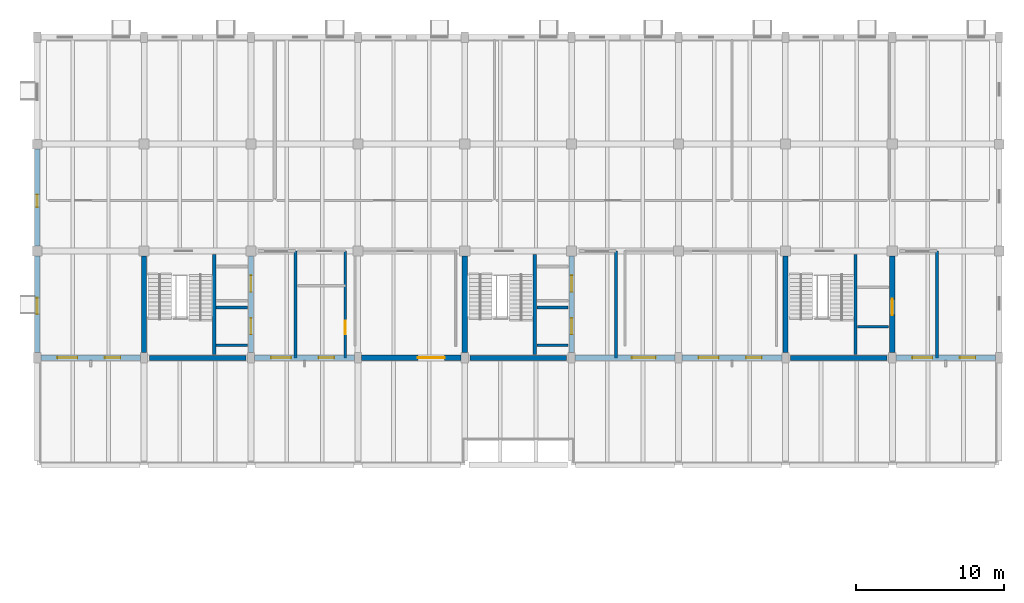
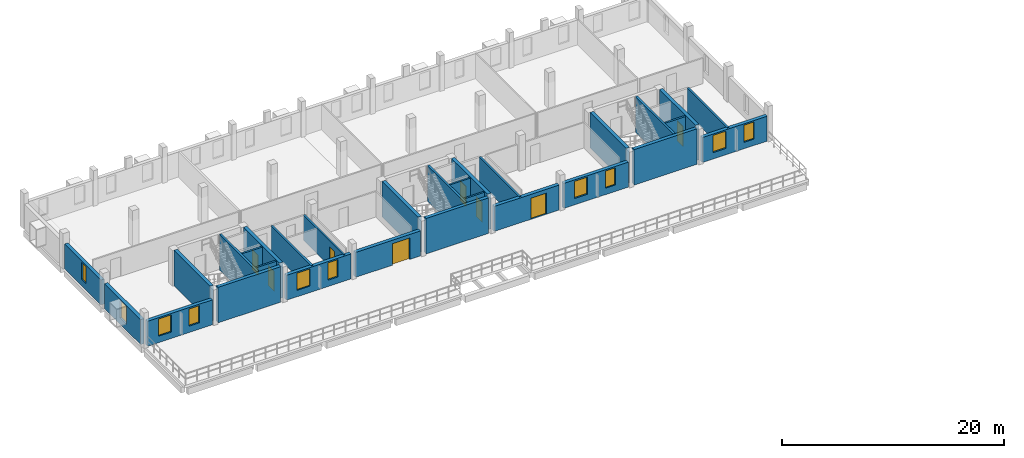
# One storey, part 9 of 14: 29 walls, 10 windows, 8 doors, 18 openings.
"""IFC4 building model written with IfcOpenShell, lengths in metres."""

from ifc_helpers import new_model, si_unit, direction, frame, frame_2d, origin, place, context, subcontext, project, spatial, rectangle, extrude, material, layer, layer_set, type_object, element, fill, save


model = new_model("IFC4")

# Units and contexts
model_context = context("Model", 3, precision=1e-05, world=origin(), true_north=direction((0.0, 1.0)))
body_context = subcontext(model_context, "Body", "Model", "MODEL_VIEW")
ifc_project = project(units=[si_unit("LENGTHUNIT", "METRE"), si_unit("AREAUNIT", "SQUARE_METRE"), si_unit("VOLUMEUNIT", "CUBIC_METRE"), si_unit("PLANEANGLEUNIT", "RADIAN"), si_unit("MASSUNIT", "GRAM", prefix="KILO")], contexts=[model_context])

# Site, building, storey
site_placement = place(None, origin())
site = spatial("IfcSite", under=ifc_project, at=site_placement, CompositionType="ELEMENT")
building_placement = place(site_placement, origin())
building = spatial("IfcBuilding", under=site, at=building_placement, Name="Qiaolan Assembly House", CompositionType="ELEMENT")
storey_placement = place(building_placement, frame((0.0, 0.0, 22.5)))
storey = spatial("IfcBuildingStorey", under=building, at=storey_placement, Name="L05", CompositionType="ELEMENT", Elevation=22.5)

# Wall
ifc_material_1 = material(Name="Concrete C40/50", Category="concrete")
ifc_layer_1 = layer(ifc_material_1, 0.35009765625)
ifc_layer_set_1 = layer_set([ifc_layer_1], Name="Concrete C40/50")
wall_type_1 = type_object("IfcWallType", Name="WAL-CORE-350", PredefinedType="SHEAR", material=ifc_layer_set_1)
wall_1_placement = place(storey_placement, frame((43.550048828125, 93.60009765625, 0.0), z_axis=(0.0, 0.0, 1.0), x_axis=(1.0, 0.0, 0.0)))
element("IfcWall", 1, at=wall_1_placement, inside=storey, type_object=wall_type_1, Name="CW-350 shear core wall CORE-A S L05", PredefinedType="SHEAR", context=body_context, shape_type="SweptSolid", body=[
    extrude(rectangle(XDim=6.5, YDim=0.35009765625, at=frame_2d((3.25, 0.0))), origin(), (0.0, 0.0, 1.0), 3.89990234375),
])

# Wall, openings, doors
wall_2_placement = place(storey_placement, frame((50.39990234375, 93.949951171875, 0.0), z_axis=(0.0, 0.0, 1.0), x_axis=(0.0, 1.0, 0.0)))
wall_2 = element("IfcWall", 2, at=wall_2_placement, inside=storey, type_object=wall_type_1, Name="CW-350 shear core wall CORE-A E L05", PredefinedType="SHEAR", context=body_context, shape_type="SweptSolid", body=[
    extrude(rectangle(XDim=6.5, YDim=0.35009765625, at=frame_2d((3.25, 0.0))), origin(), (0.0, 0.0, 1.0), 3.89990234375),
])
opening_1_placement = place(wall_2_placement, frame((1.22509765625, 0.0, 0.0)))
opening_1 = element("IfcOpeningElement", 3, at=opening_1_placement, cuts=wall_2, Name="Opening LD-007", PredefinedType="OPENING", context=body_context, shape_type="SweptSolid", body=[
    extrude(rectangle(XDim=1.10009765625, YDim=2.199951171875, at=frame_2d((0.550048828125, 1.10009765625))), frame((0.0, 0.18505859375, 0.0), z_axis=(0.0, -1.0, 0.0), x_axis=(1.0, 0.0, 0.0)), (0.0, 0.0, 1.0), 0.3701171875),
])
opening_2_placement = place(wall_2_placement, frame((4.10009765625, 0.0, 0.0)))
opening_2 = element("IfcOpeningElement", 4, at=opening_2_placement, cuts=wall_2, Name="Opening LD-016", PredefinedType="OPENING", context=body_context, shape_type="SweptSolid", body=[
    extrude(rectangle(XDim=1.10009765625, YDim=2.199951171875, at=frame_2d((0.550048828125, 1.10009765625))), frame((0.0, 0.18505859375, 0.0), z_axis=(0.0, -1.0, 0.0), x_axis=(1.0, 0.0, 0.0)), (0.0, 0.0, 1.0), 0.3701171875),
])
ifc_material_2 = material(Name="Anodised bronze aluminium", Category="aluminium")
door_type_1 = type_object("IfcDoorType", Name="DOR-LIFT-LD1100", OperationType="SLIDING_TO_LEFT", PredefinedType="DOOR", material=ifc_material_2)
door_1_placement = place(opening_1_placement, origin())
door_1 = element("IfcDoor", 5, at=door_1_placement, inside=storey, type_object=door_type_1, Name="Lift landing door LD-007 (LF-01 L05)", OperationType="SLIDING_TO_LEFT", OverallHeight=2.199951171875, OverallWidth=1.10009765625, PredefinedType="DOOR", context=body_context, shape_type="SweptSolid", body=[
    extrude(rectangle(XDim=1.10009765625, YDim=2.199951171875, at=frame_2d((0.550048828125, 1.10009765625))), frame((0.0, 0.02490234375, 0.0), z_axis=(0.0, -1.0, 0.0), x_axis=(1.0, 0.0, 0.0)), (0.0, 0.0, 1.0), 0.050048828125),
])
fill(opening_1, door_1)
door_2_placement = place(opening_2_placement, origin())
door_2 = element("IfcDoor", 6, at=door_2_placement, inside=storey, type_object=door_type_1, Name="Lift landing door LD-016 (LF-02 L05)", OperationType="SLIDING_TO_LEFT", OverallHeight=2.199951171875, OverallWidth=1.10009765625, PredefinedType="DOOR", context=body_context, shape_type="SweptSolid", body=[
    extrude(rectangle(XDim=1.10009765625, YDim=2.199951171875, at=frame_2d((0.550048828125, 1.10009765625))), frame((0.0, 0.02490234375, 0.0), z_axis=(0.0, -1.0, 0.0), x_axis=(1.0, 0.0, 0.0)), (0.0, 0.0, 1.0), 0.050048828125),
])
fill(opening_2, door_2)

# Walls
for number, where, z_axis, x_axis, name in (
    (7, (43.199951171875, 100.449951171875, 0.0), (0.0, 0.0, 1.0), (0.0, -1.0, 0.0), "CW-350 shear core wall CORE-A W L05"),
    (8, (65.14990234375, 93.60009765625, 0.0), (0.0, 0.0, 1.0), (1.0, 0.0, 0.0), "CW-350 shear core wall CORE-B S L05"),
):
    element("IfcWall", number, at=place(storey_placement, frame(where, z_axis=z_axis, x_axis=x_axis)), inside=storey, type_object=wall_type_1, Name=name, PredefinedType="SHEAR", context=body_context, shape_type="SweptSolid", body=[
        extrude(rectangle(XDim=6.5, YDim=0.35009765625, at=frame_2d((3.25, 0.0))), origin(), (0.0, 0.0, 1.0), 3.89990234375),
    ])

# Wall, openings, doors
wall_3_placement = place(storey_placement, frame((72.0, 93.949951171875, 0.0), z_axis=(0.0, 0.0, 1.0), x_axis=(0.0, 1.0, 0.0)))
wall_3 = element("IfcWall", 9, at=wall_3_placement, inside=storey, type_object=wall_type_1, Name="CW-350 shear core wall CORE-B E L05", PredefinedType="SHEAR", context=body_context, shape_type="SweptSolid", body=[
    extrude(rectangle(XDim=6.5, YDim=0.35009765625, at=frame_2d((3.25, 0.0))), origin(), (0.0, 0.0, 1.0), 3.89990234375),
])
opening_3_placement = place(wall_3_placement, frame((1.22509765625, 0.0, 0.0)))
opening_3 = element("IfcOpeningElement", 10, at=opening_3_placement, cuts=wall_3, Name="Opening LD-025", PredefinedType="OPENING", context=body_context, shape_type="SweptSolid", body=[
    extrude(rectangle(XDim=1.10009765625, YDim=2.199951171875, at=frame_2d((0.550048828125, 1.10009765625))), frame((0.0, 0.18505859375, 0.0), z_axis=(0.0, -1.0, 0.0), x_axis=(1.0, 0.0, 0.0)), (0.0, 0.0, 1.0), 0.3701171875),
])
opening_4_placement = place(wall_3_placement, frame((4.10009765625, 0.0, 0.0)))
opening_4 = element("IfcOpeningElement", 11, at=opening_4_placement, cuts=wall_3, Name="Opening LD-034", PredefinedType="OPENING", context=body_context, shape_type="SweptSolid", body=[
    extrude(rectangle(XDim=1.10009765625, YDim=2.199951171875, at=frame_2d((0.550048828125, 1.10009765625))), frame((0.0, 0.18505859375, 0.0), z_axis=(0.0, -1.0, 0.0), x_axis=(1.0, 0.0, 0.0)), (0.0, 0.0, 1.0), 0.3701171875),
])
door_3_placement = place(opening_3_placement, origin())
door_3 = element("IfcDoor", 12, at=door_3_placement, inside=storey, type_object=door_type_1, Name="Lift landing door LD-025 (LF-03 L05)", OperationType="SLIDING_TO_LEFT", OverallHeight=2.199951171875, OverallWidth=1.10009765625, PredefinedType="DOOR", context=body_context, shape_type="SweptSolid", body=[
    extrude(rectangle(XDim=1.10009765625, YDim=2.199951171875, at=frame_2d((0.550048828125, 1.10009765625))), frame((0.0, 0.02490234375, 0.0), z_axis=(0.0, -1.0, 0.0), x_axis=(1.0, 0.0, 0.0)), (0.0, 0.0, 1.0), 0.050048828125),
])
fill(opening_3, door_3)
door_4_placement = place(opening_4_placement, origin())
door_4 = element("IfcDoor", 13, at=door_4_placement, inside=storey, type_object=door_type_1, Name="Lift landing door LD-034 (LF-04 L05)", OperationType="SLIDING_TO_LEFT", OverallHeight=2.199951171875, OverallWidth=1.10009765625, PredefinedType="DOOR", context=body_context, shape_type="SweptSolid", body=[
    extrude(rectangle(XDim=1.10009765625, YDim=2.199951171875, at=frame_2d((0.550048828125, 1.10009765625))), frame((0.0, 0.02490234375, 0.0), z_axis=(0.0, -1.0, 0.0), x_axis=(1.0, 0.0, 0.0)), (0.0, 0.0, 1.0), 0.050048828125),
])
fill(opening_4, door_4)

# Walls
for number, where, z_axis, x_axis, name in (
    (14, (64.800048828125, 100.449951171875, 0.0), (0.0, 0.0, 1.0), (0.0, -1.0, 0.0), "CW-350 shear core wall CORE-B W L05"),
    (15, (86.75, 93.60009765625, 0.0), (0.0, 0.0, 1.0), (1.0, 0.0, 0.0), "CW-350 shear core wall CORE-G S L05"),
):
    element("IfcWall", number, at=place(storey_placement, frame(where, z_axis=z_axis, x_axis=x_axis)), inside=storey, type_object=wall_type_1, Name=name, PredefinedType="SHEAR", context=body_context, shape_type="SweptSolid", body=[
        extrude(rectangle(XDim=6.5, YDim=0.35009765625, at=frame_2d((3.25, 0.0))), origin(), (0.0, 0.0, 1.0), 3.89990234375),
    ])

# Wall, opening, door
wall_4_placement = place(storey_placement, frame((93.60009765625, 93.949951171875, 0.0), z_axis=(0.0, 0.0, 1.0), x_axis=(0.0, 1.0, 0.0)))
wall_4 = element("IfcWall", 16, at=wall_4_placement, inside=storey, type_object=wall_type_1, Name="CW-350 shear core wall CORE-G E L05", PredefinedType="SHEAR", context=body_context, shape_type="SweptSolid", body=[
    extrude(rectangle(XDim=6.5, YDim=0.35009765625, at=frame_2d((3.25, 0.0))), origin(), (0.0, 0.0, 1.0), 3.89990234375),
])
opening_5_placement = place(wall_4_placement, frame((2.52490234375, 0.0, 0.0)))
opening_5 = element("IfcOpeningElement", 17, at=opening_5_placement, cuts=wall_4, Name="Opening LD-043", PredefinedType="OPENING", context=body_context, shape_type="SweptSolid", body=[
    extrude(rectangle(XDim=1.10009765625, YDim=2.199951171875, at=frame_2d((0.550048828125, 1.10009765625))), frame((0.0, 0.18505859375, 0.0), z_axis=(0.0, -1.0, 0.0), x_axis=(1.0, 0.0, 0.0)), (0.0, 0.0, 1.0), 0.3701171875),
])
door_5_placement = place(opening_5_placement, origin())
door_5 = element("IfcDoor", 18, at=door_5_placement, inside=storey, type_object=door_type_1, Name="Lift landing door LD-043 (LF-05 L05)", OperationType="SLIDING_TO_LEFT", OverallHeight=2.199951171875, OverallWidth=1.10009765625, PredefinedType="DOOR", context=body_context, shape_type="SweptSolid", body=[
    extrude(rectangle(XDim=1.10009765625, YDim=2.199951171875, at=frame_2d((0.550048828125, 1.10009765625))), frame((0.0, 0.02490234375, 0.0), z_axis=(0.0, -1.0, 0.0), x_axis=(1.0, 0.0, 0.0)), (0.0, 0.0, 1.0), 0.050048828125),
])
fill(opening_5, door_5)

# Wall
wall_5_placement = place(storey_placement, frame((86.39990234375, 100.449951171875, 0.0), z_axis=(0.0, 0.0, 1.0), x_axis=(0.0, -1.0, 0.0)))
element("IfcWall", 19, at=wall_5_placement, inside=storey, type_object=wall_type_1, Name="CW-350 shear core wall CORE-G W L05", PredefinedType="SHEAR", context=body_context, shape_type="SweptSolid", body=[
    extrude(rectangle(XDim=6.5, YDim=0.35009765625, at=frame_2d((3.25, 0.0))), origin(), (0.0, 0.0, 1.0), 3.89990234375),
])

# Wall, openings, windows
ifc_material_3 = material(Name="Honed pale limestone", Category="masonry")
ifc_layer_2 = layer(ifc_material_3, 0.360107421875)
ifc_layer_set_2 = layer_set([ifc_layer_2], Name="Honed pale limestone")
wall_type_2 = type_object("IfcWallType", Name="WAL-EXT-LIMESTONE-360", PredefinedType="SOLIDWALL", material=ifc_layer_set_2)
wall_6_placement = place(storey_placement, frame((36.238037109375, 93.60009765625, 0.0), z_axis=(0.0, 0.0, 1.0), x_axis=(1.0, 0.0, 0.0)))
wall_6 = element("IfcWall", 20, at=wall_6_placement, inside=storey, type_object=wall_type_2, Name="EW-360 NW South court wall L05 bay 1", PredefinedType="SOLIDWALL", context=body_context, shape_type="SweptSolid", body=[
    extrude(rectangle(XDim=6.723876953125, YDim=0.360107421875, at=frame_2d((3.36181640625, 0.0))), origin(), (0.0, 0.0, 1.0), 2.739990234375),
])
opening_6_placement = place(wall_6_placement, frame((1.112060546875, 0.0, 0.699951171875)))
opening_6 = element("IfcOpeningElement", 21, at=opening_6_placement, cuts=wall_6, Name="Opening WN-174", PredefinedType="OPENING", context=body_context, shape_type="SweptSolid", body=[
    extrude(rectangle(XDim=1.35009765625, YDim=1.889892578125, at=frame_2d((0.675048828125, 0.94482421875))), frame((0.0, 0.18994140625, 0.0), z_axis=(0.0, -1.0, 0.0), x_axis=(1.0, 0.0, 0.0)), (0.0, 0.0, 1.0), 0.380126953125),
])
opening_7_placement = place(wall_6_placement, frame((4.31201171875, 0.0, 0.699951171875)))
opening_7 = element("IfcOpeningElement", 22, at=opening_7_placement, cuts=wall_6, Name="Opening WN-175", PredefinedType="OPENING", context=body_context, shape_type="SweptSolid", body=[
    extrude(rectangle(XDim=1.050048828125, YDim=1.889892578125, at=frame_2d((0.52490234375, 0.94482421875))), frame((0.0, 0.18994140625, 0.0), z_axis=(0.0, -1.0, 0.0), x_axis=(1.0, 0.0, 0.0)), (0.0, 0.0, 1.0), 0.380126953125),
])
ifc_material_4 = material(Name="Low-E double insulating glass", Category="glass")
window_type_1 = type_object("IfcWindowType", Name="WIN-COURT-1350x2150", PartitioningType="DOUBLE_PANEL_VERTICAL", PredefinedType="WINDOW", material=ifc_material_4)
window_1_placement = place(opening_6_placement, origin())
window_1 = element("IfcWindow", 23, at=window_1_placement, inside=storey, type_object=window_type_1, Name="WN-T12 court window WN-174", OverallHeight=1.889892578125, OverallWidth=1.35009765625, PartitioningType="DOUBLE_PANEL_VERTICAL", PredefinedType="WINDOW", context=body_context, shape_type="SweptSolid", body=[
    extrude(rectangle(XDim=1.35009765625, YDim=1.889892578125, at=frame_2d((0.675048828125, 0.94482421875))), frame((0.0, 0.030029296875, 0.0), z_axis=(0.0, -1.0, 0.0), x_axis=(1.0, 0.0, 0.0)), (0.0, 0.0, 1.0), 0.06005859375),
])
fill(opening_6, window_1)
window_type_2 = type_object("IfcWindowType", Name="WIN-PUNCH-1050x2150", PartitioningType="SINGLE_PANEL", PredefinedType="WINDOW", material=ifc_material_4)
window_2_placement = place(opening_7_placement, origin())
window_2 = element("IfcWindow", 24, at=window_2_placement, inside=storey, type_object=window_type_2, Name="WN-T13 court window WN-175", OverallHeight=1.889892578125, OverallWidth=1.050048828125, PartitioningType="SINGLE_PANEL", PredefinedType="WINDOW", context=body_context, shape_type="SweptSolid", body=[
    extrude(rectangle(XDim=1.050048828125, YDim=1.889892578125, at=frame_2d((0.52490234375, 0.94482421875))), frame((0.0, 0.030029296875, 0.0), z_axis=(0.0, -1.0, 0.0), x_axis=(1.0, 0.0, 0.0)), (0.0, 0.0, 1.0), 0.06005859375),
])
fill(opening_7, window_2)

wall_7_placement = place(storey_placement, frame((50.637939453125, 93.60009765625, 0.0), z_axis=(0.0, 0.0, 1.0), x_axis=(1.0, 0.0, 0.0)))
wall_7 = element("IfcWall", 25, at=wall_7_placement, inside=storey, type_object=wall_type_2, Name="EW-360 NW South court wall L05 bay 3", PredefinedType="SOLIDWALL", context=body_context, shape_type="SweptSolid", body=[
    extrude(rectangle(XDim=6.72412109375, YDim=0.360107421875, at=frame_2d((3.362060546875, 0.0))), origin(), (0.0, 0.0, 1.0), 2.739990234375),
])
opening_8_placement = place(wall_7_placement, frame((1.112060546875, 0.0, 0.699951171875)))
opening_8 = element("IfcOpeningElement", 26, at=opening_8_placement, cuts=wall_7, Name="Opening WN-176", PredefinedType="OPENING", context=body_context, shape_type="SweptSolid", body=[
    extrude(rectangle(XDim=1.35009765625, YDim=1.889892578125, at=frame_2d((0.675048828125, 0.94482421875))), frame((0.0, 0.18994140625, 0.0), z_axis=(0.0, -1.0, 0.0), x_axis=(1.0, 0.0, 0.0)), (0.0, 0.0, 1.0), 0.380126953125),
])
opening_9_placement = place(wall_7_placement, frame((4.31201171875, 0.0, 0.699951171875)))
opening_9 = element("IfcOpeningElement", 27, at=opening_9_placement, cuts=wall_7, Name="Opening WN-177", PredefinedType="OPENING", context=body_context, shape_type="SweptSolid", body=[
    extrude(rectangle(XDim=1.050048828125, YDim=1.889892578125, at=frame_2d((0.52490234375, 0.94482421875))), frame((0.0, 0.18994140625, 0.0), z_axis=(0.0, -1.0, 0.0), x_axis=(1.0, 0.0, 0.0)), (0.0, 0.0, 1.0), 0.380126953125),
])
window_3_placement = place(opening_8_placement, origin())
window_3 = element("IfcWindow", 28, at=window_3_placement, inside=storey, type_object=window_type_1, Name="WN-T12 court window WN-176", OverallHeight=1.889892578125, OverallWidth=1.35009765625, PartitioningType="DOUBLE_PANEL_VERTICAL", PredefinedType="WINDOW", context=body_context, shape_type="SweptSolid", body=[
    extrude(rectangle(XDim=1.35009765625, YDim=1.889892578125, at=frame_2d((0.675048828125, 0.94482421875))), frame((0.0, 0.030029296875, 0.0), z_axis=(0.0, -1.0, 0.0), x_axis=(1.0, 0.0, 0.0)), (0.0, 0.0, 1.0), 0.06005859375),
])
fill(opening_8, window_3)
window_4_placement = place(opening_9_placement, origin())
window_4 = element("IfcWindow", 29, at=window_4_placement, inside=storey, type_object=window_type_2, Name="WN-T13 court window WN-177", OverallHeight=1.889892578125, OverallWidth=1.050048828125, PartitioningType="SINGLE_PANEL", PredefinedType="WINDOW", context=body_context, shape_type="SweptSolid", body=[
    extrude(rectangle(XDim=1.050048828125, YDim=1.889892578125, at=frame_2d((0.52490234375, 0.94482421875))), frame((0.0, 0.030029296875, 0.0), z_axis=(0.0, -1.0, 0.0), x_axis=(1.0, 0.0, 0.0)), (0.0, 0.0, 1.0), 0.06005859375),
])
fill(opening_9, window_4)

# Wall, opening, door
wall_8_placement = place(storey_placement, frame((57.837890625, 93.60009765625, 0.0), z_axis=(0.0, 0.0, 1.0), x_axis=(1.0, 0.0, 0.0)))
wall_8 = element("IfcWall", 30, at=wall_8_placement, inside=storey, type_object=wall_type_2, Name="EW-360 NW South court wall L05 bay 4", PredefinedType="SOLIDWALL", context=body_context, shape_type="SweptSolid", body=[
    extrude(rectangle(XDim=6.72412109375, YDim=0.360107421875, at=frame_2d((3.362060546875, 0.0))), origin(), (0.0, 0.0, 1.0), 2.739990234375),
])
opening_10_placement = place(wall_8_placement, frame((3.81201171875, 0.0, 0.0)))
opening_10 = element("IfcOpeningElement", 31, at=opening_10_placement, cuts=wall_8, Name="Opening TD-007", PredefinedType="OPENING", context=body_context, shape_type="SweptSolid", body=[
    extrude(rectangle(XDim=1.800048828125, YDim=2.35009765625, at=frame_2d((0.89990234375, 1.175048828125))), frame((0.0, 0.18994140625, 0.0), z_axis=(0.0, -1.0, 0.0), x_axis=(1.0, 0.0, 0.0)), (0.0, 0.0, 1.0), 0.380126953125),
])
door_type_2 = type_object("IfcDoorType", Name="DOR-TERR-GLZ-1800", OperationType="DOUBLE_DOOR_SINGLE_SWING", PredefinedType="DOOR", material=ifc_material_2)
door_6_placement = place(opening_10_placement, frame((1.800048828125, 0.0, 0.0), z_axis=(0.0, 0.0, 1.0), x_axis=(-1.0, 0.0, 0.0)))
door_6 = element("IfcDoor", 32, at=door_6_placement, inside=storey, type_object=door_type_2, Name="L05 South Terrace access door TD-007", OperationType="DOUBLE_DOOR_SINGLE_SWING", OverallHeight=2.35009765625, OverallWidth=1.800048828125, PredefinedType="DOOR", context=body_context, shape_type="SweptSolid", body=[
    extrude(rectangle(XDim=1.800048828125, YDim=2.35009765625, at=frame_2d((0.89990234375, 1.175048828125))), frame((0.0, 0.02490234375, 0.0), z_axis=(0.0, -1.0, 0.0), x_axis=(1.0, 0.0, 0.0)), (0.0, 0.0, 1.0), 0.050048828125),
])
fill(opening_10, door_6)

wall_9_placement = place(storey_placement, frame((72.238037109375, 93.60009765625, 0.0), z_axis=(0.0, 0.0, 1.0), x_axis=(1.0, 0.0, 0.0)))
wall_9 = element("IfcWall", 33, at=wall_9_placement, inside=storey, type_object=wall_type_2, Name="EW-360 NW South court wall L05 bay 6", PredefinedType="SOLIDWALL", context=body_context, shape_type="SweptSolid", body=[
    extrude(rectangle(XDim=6.723876953125, YDim=0.360107421875, at=frame_2d((3.36181640625, 0.0))), origin(), (0.0, 0.0, 1.0), 2.739990234375),
])
opening_11_placement = place(wall_9_placement, frame((3.81201171875, 0.0, 0.0)))
opening_11 = element("IfcOpeningElement", 34, at=opening_11_placement, cuts=wall_9, Name="Opening TD-008", PredefinedType="OPENING", context=body_context, shape_type="SweptSolid", body=[
    extrude(rectangle(XDim=1.60009765625, YDim=2.320068359375, at=frame_2d((0.800048828125, 1.16015625))), frame((0.0, 0.18994140625, 0.0), z_axis=(0.0, -1.0, 0.0), x_axis=(1.0, 0.0, 0.0)), (0.0, 0.0, 1.0), 0.380126953125),
])
door_type_3 = type_object("IfcDoorType", Name="DOR-TERR-DBL-1600", OperationType="DOUBLE_DOOR_SINGLE_SWING", PredefinedType="DOOR", material=ifc_material_2)
door_7_placement = place(opening_11_placement, frame((1.60009765625, 0.0, 0.0), z_axis=(0.0, 0.0, 1.0), x_axis=(-1.0, 0.0, 0.0)))
door_7 = element("IfcDoor", 35, at=door_7_placement, inside=storey, type_object=door_type_3, Name="L05 South Terrace access door TD-008", OperationType="DOUBLE_DOOR_SINGLE_SWING", OverallHeight=2.320068359375, OverallWidth=1.60009765625, PredefinedType="DOOR", context=body_context, shape_type="SweptSolid", body=[
    extrude(rectangle(XDim=1.60009765625, YDim=2.320068359375, at=frame_2d((0.800048828125, 1.16015625))), frame((0.0, 0.02490234375, 0.0), z_axis=(0.0, -1.0, 0.0), x_axis=(1.0, 0.0, 0.0)), (0.0, 0.0, 1.0), 0.050048828125),
])
fill(opening_11, door_7)

# Wall, openings, windows
wall_10_placement = place(storey_placement, frame((79.43798828125, 93.60009765625, 0.0), z_axis=(0.0, 0.0, 1.0), x_axis=(1.0, 0.0, 0.0)))
wall_10 = element("IfcWall", 36, at=wall_10_placement, inside=storey, type_object=wall_type_2, Name="EW-360 NW South court wall L05 bay 7", PredefinedType="SOLIDWALL", context=body_context, shape_type="SweptSolid", body=[
    extrude(rectangle(XDim=6.72412109375, YDim=0.360107421875, at=frame_2d((3.362060546875, 0.0))), origin(), (0.0, 0.0, 1.0), 2.739990234375),
])
opening_12_placement = place(wall_10_placement, frame((1.112060546875, 0.0, 0.699951171875)))
opening_12 = element("IfcOpeningElement", 37, at=opening_12_placement, cuts=wall_10, Name="Opening WN-178", PredefinedType="OPENING", context=body_context, shape_type="SweptSolid", body=[
    extrude(rectangle(XDim=1.35009765625, YDim=1.889892578125, at=frame_2d((0.675048828125, 0.94482421875))), frame((0.0, 0.18994140625, 0.0), z_axis=(0.0, -1.0, 0.0), x_axis=(1.0, 0.0, 0.0)), (0.0, 0.0, 1.0), 0.380126953125),
])
opening_13_placement = place(wall_10_placement, frame((4.31201171875, 0.0, 0.699951171875)))
opening_13 = element("IfcOpeningElement", 38, at=opening_13_placement, cuts=wall_10, Name="Opening WN-179", PredefinedType="OPENING", context=body_context, shape_type="SweptSolid", body=[
    extrude(rectangle(XDim=1.050048828125, YDim=1.889892578125, at=frame_2d((0.52490234375, 0.94482421875))), frame((0.0, 0.18994140625, 0.0), z_axis=(0.0, -1.0, 0.0), x_axis=(1.0, 0.0, 0.0)), (0.0, 0.0, 1.0), 0.380126953125),
])
window_5_placement = place(opening_12_placement, origin())
window_5 = element("IfcWindow", 39, at=window_5_placement, inside=storey, type_object=window_type_1, Name="WN-T12 court window WN-178", OverallHeight=1.889892578125, OverallWidth=1.35009765625, PartitioningType="DOUBLE_PANEL_VERTICAL", PredefinedType="WINDOW", context=body_context, shape_type="SweptSolid", body=[
    extrude(rectangle(XDim=1.35009765625, YDim=1.889892578125, at=frame_2d((0.675048828125, 0.94482421875))), frame((0.0, 0.030029296875, 0.0), z_axis=(0.0, -1.0, 0.0), x_axis=(1.0, 0.0, 0.0)), (0.0, 0.0, 1.0), 0.06005859375),
])
fill(opening_12, window_5)
window_6_placement = place(opening_13_placement, origin())
window_6 = element("IfcWindow", 40, at=window_6_placement, inside=storey, type_object=window_type_2, Name="WN-T13 court window WN-179", OverallHeight=1.889892578125, OverallWidth=1.050048828125, PartitioningType="SINGLE_PANEL", PredefinedType="WINDOW", context=body_context, shape_type="SweptSolid", body=[
    extrude(rectangle(XDim=1.050048828125, YDim=1.889892578125, at=frame_2d((0.52490234375, 0.94482421875))), frame((0.0, 0.030029296875, 0.0), z_axis=(0.0, -1.0, 0.0), x_axis=(1.0, 0.0, 0.0)), (0.0, 0.0, 1.0), 0.06005859375),
])
fill(opening_13, window_6)

wall_11_placement = place(storey_placement, frame((93.837890625, 93.60009765625, 0.0), z_axis=(0.0, 0.0, 1.0), x_axis=(1.0, 0.0, 0.0)))
wall_11 = element("IfcWall", 41, at=wall_11_placement, inside=storey, type_object=wall_type_2, Name="EW-360 NW South court wall L05 bay 9", PredefinedType="SOLIDWALL", context=body_context, shape_type="SweptSolid", body=[
    extrude(rectangle(XDim=6.72412109375, YDim=0.360107421875, at=frame_2d((3.362060546875, 0.0))), origin(), (0.0, 0.0, 1.0), 2.739990234375),
])
opening_14_placement = place(wall_11_placement, frame((1.112060546875, 0.0, 0.699951171875)))
opening_14 = element("IfcOpeningElement", 42, at=opening_14_placement, cuts=wall_11, Name="Opening WN-180", PredefinedType="OPENING", context=body_context, shape_type="SweptSolid", body=[
    extrude(rectangle(XDim=1.35009765625, YDim=1.889892578125, at=frame_2d((0.675048828125, 0.94482421875))), frame((0.0, 0.18994140625, 0.0), z_axis=(0.0, -1.0, 0.0), x_axis=(1.0, 0.0, 0.0)), (0.0, 0.0, 1.0), 0.380126953125),
])
opening_15_placement = place(wall_11_placement, frame((4.31201171875, 0.0, 0.699951171875)))
opening_15 = element("IfcOpeningElement", 43, at=opening_15_placement, cuts=wall_11, Name="Opening WN-181", PredefinedType="OPENING", context=body_context, shape_type="SweptSolid", body=[
    extrude(rectangle(XDim=1.050048828125, YDim=1.889892578125, at=frame_2d((0.52490234375, 0.94482421875))), frame((0.0, 0.18994140625, 0.0), z_axis=(0.0, -1.0, 0.0), x_axis=(1.0, 0.0, 0.0)), (0.0, 0.0, 1.0), 0.380126953125),
])
window_7_placement = place(opening_14_placement, origin())
window_7 = element("IfcWindow", 44, at=window_7_placement, inside=storey, type_object=window_type_1, Name="WN-T12 court window WN-180", OverallHeight=1.889892578125, OverallWidth=1.35009765625, PartitioningType="DOUBLE_PANEL_VERTICAL", PredefinedType="WINDOW", context=body_context, shape_type="SweptSolid", body=[
    extrude(rectangle(XDim=1.35009765625, YDim=1.889892578125, at=frame_2d((0.675048828125, 0.94482421875))), frame((0.0, 0.030029296875, 0.0), z_axis=(0.0, -1.0, 0.0), x_axis=(1.0, 0.0, 0.0)), (0.0, 0.0, 1.0), 0.06005859375),
])
fill(opening_14, window_7)
window_8_placement = place(opening_15_placement, origin())
window_8 = element("IfcWindow", 45, at=window_8_placement, inside=storey, type_object=window_type_2, Name="WN-T13 court window WN-181", OverallHeight=1.889892578125, OverallWidth=1.050048828125, PartitioningType="SINGLE_PANEL", PredefinedType="WINDOW", context=body_context, shape_type="SweptSolid", body=[
    extrude(rectangle(XDim=1.050048828125, YDim=1.889892578125, at=frame_2d((0.52490234375, 0.94482421875))), frame((0.0, 0.030029296875, 0.0), z_axis=(0.0, -1.0, 0.0), x_axis=(1.0, 0.0, 0.0)), (0.0, 0.0, 1.0), 0.06005859375),
])
fill(opening_15, window_8)

# Wall, opening, window
wall_12_placement = place(storey_placement, frame((36.0, 93.952880859375, 0.0), z_axis=(0.0, 0.0, 1.0), x_axis=(0.0, 1.0, 0.0)))
wall_12 = element("IfcWall", 46, at=wall_12_placement, inside=storey, type_object=wall_type_2, Name="NW West avenue wall L05-1", PredefinedType="SOLIDWALL", context=body_context, shape_type="SweptSolid", body=[
    extrude(rectangle(XDim=6.524169921875, YDim=0.360107421875, at=frame_2d((3.26220703125, 0.0))), origin(), (0.0, 0.0, 1.0), 2.739990234375),
])
opening_16_placement = place(wall_12_placement, frame((2.596923828125, 0.0, 0.699951171875)))
opening_16 = element("IfcOpeningElement", 47, at=opening_16_placement, cuts=wall_12, Name="Opening WN-182", PredefinedType="OPENING", context=body_context, shape_type="SweptSolid", body=[
    extrude(rectangle(XDim=1.10009765625, YDim=1.889892578125, at=frame_2d((0.550048828125, 0.94482421875))), frame((0.0, 0.18994140625, 0.0), z_axis=(0.0, -1.0, 0.0), x_axis=(1.0, 0.0, 0.0)), (0.0, 0.0, 1.0), 0.380126953125),
])
window_type_3 = type_object("IfcWindowType", Name="WIN-BOX-1100x2350", PartitioningType="SINGLE_PANEL", PredefinedType="WINDOW", material=ifc_material_4)
window_9_placement = place(opening_16_placement, origin())
window_9 = element("IfcWindow", 48, at=window_9_placement, inside=storey, type_object=window_type_3, Name="NW West window WN-182", OverallHeight=1.889892578125, OverallWidth=1.10009765625, PartitioningType="SINGLE_PANEL", PredefinedType="WINDOW", context=body_context, shape_type="SweptSolid", body=[
    extrude(rectangle(XDim=1.10009765625, YDim=1.889892578125, at=frame_2d((0.550048828125, 0.94482421875))), frame((0.0, 0.030029296875, 0.0), z_axis=(0.0, -1.0, 0.0), x_axis=(1.0, 0.0, 0.0)), (0.0, 0.0, 1.0), 0.06005859375),
])
fill(opening_16, window_9)

wall_13_placement = place(storey_placement, frame((36.0, 101.123046875, 0.0), z_axis=(0.0, 0.0, 1.0), x_axis=(0.0, 1.0, 0.0)))
wall_13 = element("IfcWall", 49, at=wall_13_placement, inside=storey, type_object=wall_type_2, Name="NW West avenue wall L05-2", PredefinedType="SOLIDWALL", context=body_context, shape_type="SweptSolid", body=[
    extrude(rectangle(XDim=6.553955078125, YDim=0.360107421875, at=frame_2d((3.27685546875, 0.0))), origin(), (0.0, 0.0, 1.0), 2.739990234375),
])
opening_17_placement = place(wall_13_placement, frame((2.626953125, 0.0, 0.699951171875)))
opening_17 = element("IfcOpeningElement", 50, at=opening_17_placement, cuts=wall_13, Name="Opening WN-184", PredefinedType="OPENING", context=body_context, shape_type="SweptSolid", body=[
    extrude(rectangle(XDim=0.85009765625, YDim=1.889892578125, at=frame_2d((0.425048828125, 0.94482421875))), frame((0.0, 0.18994140625, 0.0), z_axis=(0.0, -1.0, 0.0), x_axis=(1.0, 0.0, 0.0)), (0.0, 0.0, 1.0), 0.380126953125),
])
window_type_4 = type_object("IfcWindowType", Name="WIN-END-850x2200", PartitioningType="SINGLE_PANEL", PredefinedType="WINDOW", material=ifc_material_4)
window_10_placement = place(opening_17_placement, origin())
window_10 = element("IfcWindow", 51, at=window_10_placement, inside=storey, type_object=window_type_4, Name="NW West window WN-184", OverallHeight=1.889892578125, OverallWidth=0.85009765625, PartitioningType="SINGLE_PANEL", PredefinedType="WINDOW", context=body_context, shape_type="SweptSolid", body=[
    extrude(rectangle(XDim=0.85009765625, YDim=1.889892578125, at=frame_2d((0.425048828125, 0.94482421875))), frame((0.0, 0.030029296875, 0.0), z_axis=(0.0, -1.0, 0.0), x_axis=(1.0, 0.0, 0.0)), (0.0, 0.0, 1.0), 0.06005859375),
])
fill(opening_17, window_10)

# Walls
ifc_material_5 = material(Name="Concrete C35/45", Category="concrete")
ifc_layer_3 = layer(ifc_material_5, 0.199951171875)
ifc_layer_set_3 = layer_set([ifc_layer_3], Name="Concrete C35/45")
wall_type_3 = type_object("IfcWallType", Name="WAL-LOBBY-200", PredefinedType="PARTITIONING", material=ifc_layer_set_3)
for number, where, z_axis, x_axis, name in (
    (52, (53.39990234375, 93.60009765625, 0.0), (0.0, 0.0, 1.0), (0.0, 1.0, 0.0), "Firefighting lift lobby east wall CORE-A L05"),
    (53, (75.0, 93.60009765625, 0.0), (0.0, 0.0, 1.0), (0.0, 1.0, 0.0), "Firefighting lift lobby east wall CORE-B L05"),
    (54, (96.60009765625, 93.60009765625, 0.0), (0.0, 0.0, 1.0), (0.0, 1.0, 0.0), "Firefighting lift lobby east wall CORE-G L05"),
):
    element("IfcWall", number, at=place(storey_placement, frame(where, z_axis=z_axis, x_axis=x_axis)), inside=storey, type_object=wall_type_3, Name=name, PredefinedType="PARTITIONING", context=body_context, shape_type="SweptSolid", body=[
        extrude(rectangle(XDim=7.199951171875, YDim=0.199951171875, at=frame_2d((3.60009765625, 0.0))), origin(), (0.0, 0.0, 1.0), 2.780029296875),
    ])
ifc_layer_4 = layer(ifc_material_5, 0.18505859375)
ifc_layer_set_4 = layer_set([ifc_layer_4], Name="Concrete C35/45")
wall_type_4 = type_object("IfcWallType", Name="WAL-SHAFT-200", PredefinedType="PARTITIONING", material=ifc_layer_set_4)
for number, where, z_axis, x_axis, name in (
    (55, (48.050048828125, 94.449951171875, 0.0), (0.0, 0.0, 1.0), (1.0, 0.0, 0.0), "SW-200 lift shaft wall LF-01 L05 DIVS"),
    (56, (48.050048828125, 97.0, 0.0), (0.0, 0.0, 1.0), (1.0, 0.0, 0.0), "SW-200 lift shaft wall LF-01 L05 DIVN"),
):
    element("IfcWall", number, at=place(storey_placement, frame(where, z_axis=z_axis, x_axis=x_axis)), inside=storey, type_object=wall_type_4, Name=name, PredefinedType="PARTITIONING", context=body_context, shape_type="SweptSolid", body=[
        extrude(rectangle(XDim=2.099853515625, YDim=0.18505859375, at=frame_2d((1.0498046875, 0.0))), origin(), (0.0, 0.0, 1.0), 3.89990234375),
    ])
for number, where, z_axis, x_axis, name in (
    (57, (69.64990234375, 94.449951171875, 0.0), (0.0, 0.0, 1.0), (1.0, 0.0, 0.0), "SW-200 lift shaft wall LF-03 L05 DIVS"),
    (58, (69.64990234375, 97.0, 0.0), (0.0, 0.0, 1.0), (1.0, 0.0, 0.0), "SW-200 lift shaft wall LF-03 L05 DIVN"),
    (59, (91.25, 95.699951171875, 0.0), (0.0, 0.0, 1.0), (1.0, 0.0, 0.0), "SW-200 lift shaft wall LF-05 L05 DIVS"),
):
    element("IfcWall", number, at=place(storey_placement, frame(where, z_axis=z_axis, x_axis=x_axis)), inside=storey, type_object=wall_type_4, Name=name, PredefinedType="PARTITIONING", context=body_context, shape_type="SweptSolid", body=[
        extrude(rectangle(XDim=2.10009765625, YDim=0.18505859375, at=frame_2d((1.050048828125, 0.0))), origin(), (0.0, 0.0, 1.0), 3.89990234375),
    ])
ifc_layer_5 = layer(ifc_material_1, 0.22509765625)
ifc_layer_set_5 = layer_set([ifc_layer_5], Name="Concrete C40/50")
wall_type_5 = type_object("IfcWallType", Name="WAL-STAIR-DIV-225", PredefinedType="SHEAR", material=ifc_layer_set_5)
for number, where, z_axis, x_axis, name in (
    (60, (47.919921875, 93.820068359375, 0.0), (0.0, 0.0, 1.0), (0.0, 1.0, 0.0), "SDW-225 stairwell structural spine wall CORE-A L05"),
    (61, (69.52001953125, 93.820068359375, 0.0), (0.0, 0.0, 1.0), (0.0, 1.0, 0.0), "SDW-225 stairwell structural spine wall CORE-B L05"),
    (62, (91.1201171875, 93.820068359375, 0.0), (0.0, 0.0, 1.0), (0.0, 1.0, 0.0), "SDW-225 stairwell structural spine wall CORE-G L05"),
):
    element("IfcWall", number, at=place(storey_placement, frame(where, z_axis=z_axis, x_axis=x_axis)), inside=storey, type_object=wall_type_5, Name=name, PredefinedType="SHEAR", context=body_context, shape_type="SweptSolid", body=[
        extrude(rectangle(XDim=6.760009765625, YDim=0.22509765625, at=frame_2d((3.3798828125, 0.0))), origin(), (0.0, 0.0, 1.0), 3.89990234375),
    ])

# Wall, opening, door
ifc_material_6 = material(Name="Concrete C30/37", Category="concrete")
ifc_layer_6 = layer(ifc_material_6, 0.1650390625)
ifc_layer_set_6 = layer_set([ifc_layer_6], Name="Concrete C30/37")
wall_type_6 = type_object("IfcWallType", Name="WAL-WET-150", PredefinedType="PARTITIONING", material=ifc_layer_set_6)
wall_14_placement = place(storey_placement, frame((56.75, 93.60009765625, 0.0), z_axis=(0.0, 0.0, 1.0), x_axis=(0.0, 1.0, 0.0)))
wall_14 = element("IfcWall", 63, at=wall_14_placement, inside=storey, type_object=wall_type_6, Name="Public WC east wall CORE-A L05", PredefinedType="PARTITIONING", context=body_context, shape_type="SweptSolid", body=[
    extrude(rectangle(XDim=7.199951171875, YDim=0.1650390625, at=frame_2d((3.60009765625, 0.0))), origin(), (0.0, 0.0, 1.0), 2.780029296875),
])
opening_18_placement = place(wall_14_placement, frame((1.60009765625, 0.0, 0.0)))
opening_18 = element("IfcOpeningElement", 64, at=opening_18_placement, cuts=wall_14, Name="Opening WD-025", PredefinedType="OPENING", context=body_context, shape_type="SweptSolid", body=[
    extrude(rectangle(XDim=0.89990234375, YDim=2.14990234375, at=frame_2d((0.449951171875, 1.074951171875))), frame((0.0, 0.092529296875, 0.0), z_axis=(0.0, -1.0, 0.0), x_axis=(1.0, 0.0, 0.0)), (0.0, 0.0, 1.0), 0.18505859375),
])
ifc_material_7 = material(Name="Acoustic oak panelling")
door_type_4 = type_object("IfcDoorType", Name="DOR-WC-900", OperationType="NOTDEFINED", PredefinedType="DOOR", material=ifc_material_7)
door_8_placement = place(opening_18_placement, origin())
door_8 = element("IfcDoor", 65, at=door_8_placement, inside=storey, type_object=door_type_4, Name="Public Restroom door WD-025", OperationType="SINGLE_SWING_LEFT", OverallHeight=2.14990234375, OverallWidth=0.89990234375, PredefinedType="DOOR", context=body_context, shape_type="SweptSolid", body=[
    extrude(rectangle(XDim=0.89990234375, YDim=2.14990234375, at=frame_2d((0.449951171875, 1.074951171875))), frame((0.0, 0.02490234375, 0.0), z_axis=(0.0, -1.0, 0.0), x_axis=(1.0, 0.0, 0.0)), (0.0, 0.0, 1.0), 0.050048828125),
])
fill(opening_18, door_8)

save(model, "model.ifc")
